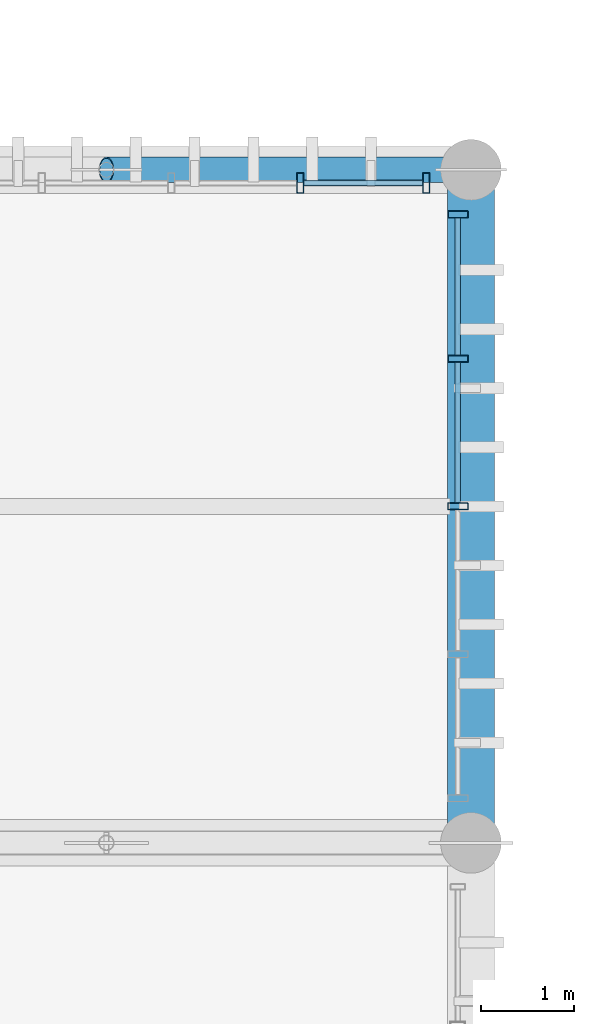
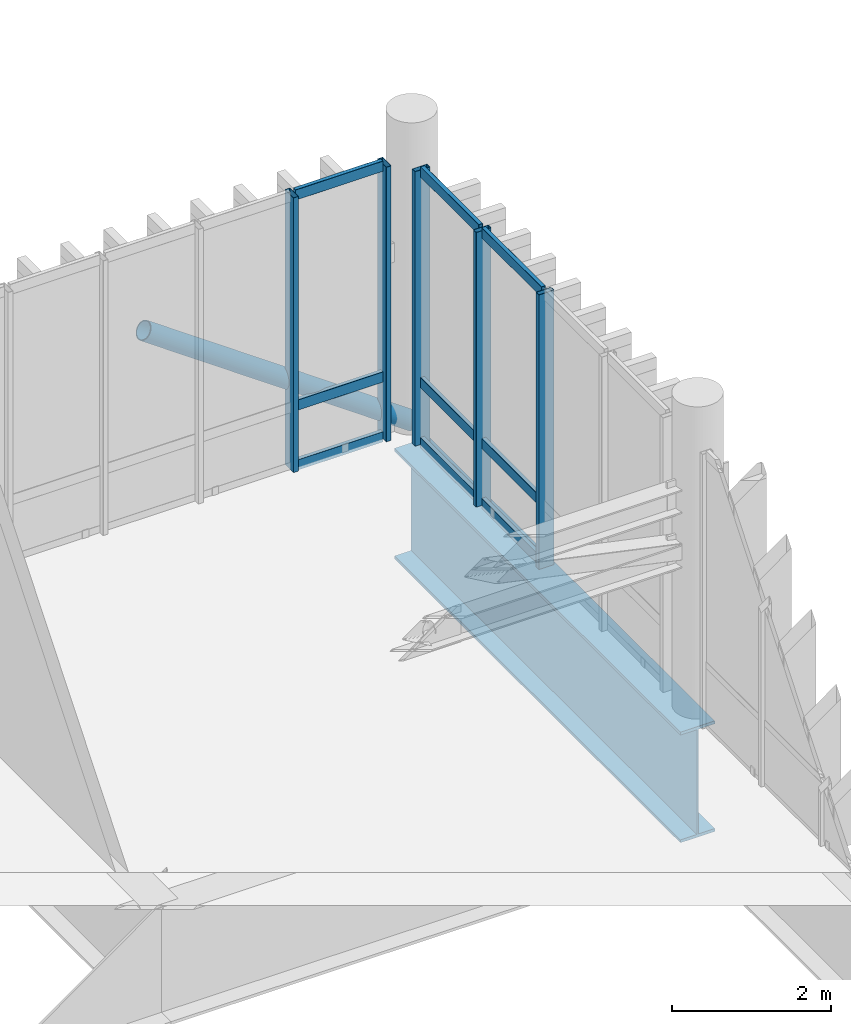
# One storey, part 44 of 86: 15 members, 1 beam, 2 elements without a shape of their own.
"""IFC4 building model written with IfcOpenShell, lengths in metres."""

from ifc_helpers import new_model, si_unit, direction, frame, origin_with_axes, origin_2d_with_axis, place, context, subcontext, project, spatial, hollow_rectangle, hollow_circle, i_section, extrude, material, material_profile, profile_set, type_object, element, aggregate, save


model = new_model("IFC4")

# Units and contexts
model_context = context("Model", 3, precision=1e-05, world=origin_with_axes(), true_north=direction((0.0, 1.0)))
body_context = subcontext(model_context, "Body", "Model", "MODEL_VIEW")
ifc_project = project(units=[si_unit("LENGTHUNIT", "METRE"), si_unit("AREAUNIT", "SQUARE_METRE"), si_unit("VOLUMEUNIT", "CUBIC_METRE"), si_unit("PLANEANGLEUNIT", "RADIAN"), si_unit("MASSUNIT", "GRAM", prefix="KILO"), si_unit("THERMODYNAMICTEMPERATUREUNIT", "KELVIN")], contexts=[model_context])

# Site, building, storey
site_placement = place(None, origin_with_axes())
site = spatial("IfcSite", under=ifc_project, at=site_placement, CompositionType="ELEMENT")
building_placement = place(site_placement, origin_with_axes())
building = spatial("IfcBuilding", under=site, at=building_placement, Name="Montbau Bow Law Courts", CompositionType="ELEMENT")
storey_placement = place(building_placement, frame((0.0, 0.0, 29.7), z_axis=(0.0, 0.0, 1.0), x_axis=(1.0, 0.0, 0.0)))
storey = spatial("IfcBuildingStorey", under=building, at=storey_placement, Name="L06", CompositionType="ELEMENT", Elevation=29.7)

# Beam
ifc_material_1 = material(Name="Steel CSA G40.21 Grade 350WT (350 MPa)", Category="steel")
ifc_material_profile_1 = material_profile(ifc_material_1, i_section(OverallWidth=0.5, OverallDepth=1.7, WebThickness=0.02, FlangeThickness=0.045, at=origin_2d_with_axis()), Name="WWF1700X480", Category="Main", Priority=0)
ifc_profile_set_1 = profile_set([ifc_material_profile_1], Name="Steel CSA G40.21 Grade 350WT (350 MPa)")
beam_type = type_object("IfcBeamType", Name="B-TRG-02", PredefinedType="USERDEFINED", material=ifc_profile_set_1)
beam_placement = place(None, frame((105.0, 54.6, 28.51), z_axis=(0.0, 1.0, 0.0), x_axis=(-1.0, 0.0, 0.0)))
element("IfcBeam", 1, at=beam_placement, inside=storey, type_object=beam_type, Name="TRG-L06-S0069:bm2_0072", ObjectType="GIRDER", PredefinedType="USERDEFINED", context=body_context, shape_type="SweptSolid", body=[
    extrude(i_section(OverallWidth=0.5, OverallDepth=1.7, WebThickness=0.02, FlangeThickness=0.045, at=origin_2d_with_axis()), origin_with_axes(), (0.0, 0.0, 1.0), 7.2),
])

# Member
ifc_material_2 = material(Name="Steel CSA G40.21 Grade 350W (350 MPa)", Category="steel")
ifc_material_profile_2 = material_profile(ifc_material_2, hollow_circle(Radius=0.1365, WallThickness=0.0127, at=origin_2d_with_axis()), Name="HSS273X13", Category="Main", Priority=0)
ifc_profile_set_2 = profile_set([ifc_material_profile_2], Name="Steel CSA G40.21 Grade 350W (350 MPa)")
member_type_1 = type_object("IfcMemberType", Name="M-BRC-03", PredefinedType="BRACE", material=ifc_profile_set_2)
member_1_placement = place(None, frame((101.1, 61.8, 32.45), z_axis=(0.817258134, 0.0, -0.576271761), x_axis=(0.0, 1.0, 0.0)))
element("IfcMember", 2, at=member_1_placement, inside=storey, type_object=member_type_1, Name="Diagonal brace BRC-L06-018", PredefinedType="BRACE", context=body_context, shape_type="SweptSolid", body=[
    extrude(hollow_circle(Radius=0.1365, WallThickness=0.0127, at=origin_2d_with_axis()), origin_with_axes(), (0.0, 0.0, 1.0), 4.772054),
])

# Curtain wall, members
ifc_material_3 = material(Name="Thermally Broken Extruded Aluminium AA 6063-T6", Category="aluminium")
curtain_wall_type = type_object("IfcCurtainWallType", Name="CW-CRM-02", PredefinedType="NOTDEFINED", material=ifc_material_3)
curtain_wall_1_placement = place(None, frame((97.64, 61.66, 29.7), z_axis=(0.0, 0.0, 1.0), x_axis=(1.0, 0.0, 0.0)))
curtain_wall_1 = element("IfcCurtainWall", 3, at=curtain_wall_1_placement, inside=storey, type_object=curtain_wall_type, Name="CW-L06-234:cw_0234", PredefinedType="NOTDEFINED")
ifc_material_profile_3 = material_profile(ifc_material_3, hollow_rectangle(XDim=0.075, YDim=0.22, WallThickness=0.005, InnerFilletRadius=0.01, OuterFilletRadius=0.005, at=origin_2d_with_axis()), Name="CWM-220X75", Category="Main", Priority=0)
ifc_profile_set_3 = profile_set([ifc_material_profile_3], Name="Thermally Broken Extruded Aluminium AA 6063-T6")
member_type_2 = type_object("IfcMemberType", Name="M-MUL-01", PredefinedType="MULLION", material=ifc_profile_set_3)
member_2_placement = place(None, frame((103.176, 61.66, 29.7), z_axis=(0.0, 0.0, 1.0), x_axis=(1.0, 0.0, 0.0)))
member_2 = element("IfcMember", 4, at=member_2_placement, type_object=member_type_2, Name="CW-L06-234-M05:cw_0234_M05", PredefinedType="MULLION", context=body_context, shape_type="SweptSolid", body=[
    extrude(hollow_rectangle(XDim=0.075, YDim=0.22, WallThickness=0.005, InnerFilletRadius=0.01, OuterFilletRadius=0.005, at=origin_2d_with_axis()), origin_with_axes(), (0.0, 0.0, 1.0), 4.22),
])
member_3_placement = place(None, frame((104.523, 61.66, 29.7), z_axis=(0.0, 0.0, 1.0), x_axis=(1.0, 0.0, 0.0)))
member_3 = element("IfcMember", 5, at=member_3_placement, type_object=member_type_2, Name="CW-L06-234-M06:cw_0234_M06", PredefinedType="MULLION", context=body_context, shape_type="SweptSolid", body=[
    extrude(hollow_rectangle(XDim=0.075, YDim=0.22, WallThickness=0.005, InnerFilletRadius=0.01, OuterFilletRadius=0.005, at=origin_2d_with_axis()), origin_with_axes(), (0.0, 0.0, 1.0), 4.22),
])

curtain_wall_2_placement = place(None, frame((104.86, 55.04, 29.7), z_axis=(0.0, 0.0, 1.0), x_axis=(1.0, 0.0, 0.0)))
curtain_wall_2 = element("IfcCurtainWall", 6, at=curtain_wall_2_placement, inside=storey, type_object=curtain_wall_type, Name="CW-L06-240:cw_0240", PredefinedType="NOTDEFINED")
member_4_placement = place(None, frame((104.86, 58.2, 29.7), z_axis=(0.0, 0.0, 1.0), x_axis=(0.0, 1.0, 0.0)))
member_4 = element("IfcMember", 7, at=member_4_placement, type_object=member_type_2, Name="CW-L06-240-M03:cw_0240_M03", PredefinedType="MULLION", context=body_context, shape_type="SweptSolid", body=[
    extrude(hollow_rectangle(XDim=0.075, YDim=0.22, WallThickness=0.005, InnerFilletRadius=0.01, OuterFilletRadius=0.005, at=origin_2d_with_axis()), origin_with_axes(), (0.0, 0.0, 1.0), 4.22),
])
member_5_placement = place(None, frame((104.86, 59.78, 29.7), z_axis=(0.0, 0.0, 1.0), x_axis=(0.0, 1.0, 0.0)))
member_5 = element("IfcMember", 8, at=member_5_placement, type_object=member_type_2, Name="CW-L06-240-M04:cw_0240_M04", PredefinedType="MULLION", context=body_context, shape_type="SweptSolid", body=[
    extrude(hollow_rectangle(XDim=0.075, YDim=0.22, WallThickness=0.005, InnerFilletRadius=0.01, OuterFilletRadius=0.005, at=origin_2d_with_axis()), origin_with_axes(), (0.0, 0.0, 1.0), 4.22),
])
member_6_placement = place(None, frame((104.86, 61.323, 29.7), z_axis=(0.0, 0.0, 1.0), x_axis=(0.0, 1.0, 0.0)))
member_6 = element("IfcMember", 9, at=member_6_placement, type_object=member_type_2, Name="CW-L06-240-M05:cw_0240_M05", PredefinedType="MULLION", context=body_context, shape_type="SweptSolid", body=[
    extrude(hollow_rectangle(XDim=0.075, YDim=0.22, WallThickness=0.005, InnerFilletRadius=0.01, OuterFilletRadius=0.005, at=origin_2d_with_axis()), origin_with_axes(), (0.0, 0.0, 1.0), 4.22),
])

# Member
ifc_material_profile_4 = material_profile(ifc_material_3, hollow_rectangle(XDim=0.06, YDim=0.16, WallThickness=0.004, InnerFilletRadius=0.008, OuterFilletRadius=0.004, at=origin_2d_with_axis()), Name="CWT-160X60", Category="Main", Priority=0)
ifc_profile_set_4 = profile_set([ifc_material_profile_4], Name="Thermally Broken Extruded Aluminium AA 6063-T6")
member_type_3 = type_object("IfcMemberType", Name="M-TRN-01", PredefinedType="USERDEFINED", material=ifc_profile_set_4)
member_7_placement = place(None, frame((103.215, 61.66, 29.73), z_axis=(1.0, 0.0, 0.0), x_axis=(0.0, 1.0, 0.0)))
member_7 = element("IfcMember", 10, at=member_7_placement, type_object=member_type_3, Name="CW-L06-234-T05-1:cw_0234_T05_1", ObjectType="TRANSOM", PredefinedType="USERDEFINED", context=body_context, shape_type="SweptSolid", body=[
    extrude(hollow_rectangle(XDim=0.06, YDim=0.16, WallThickness=0.004, InnerFilletRadius=0.008, OuterFilletRadius=0.004, at=origin_2d_with_axis()), origin_with_axes(), (0.0, 0.0, 1.0), 1.269),
])

member_8_placement = place(None, frame((103.215, 61.66, 30.65), z_axis=(1.0, 0.0, 0.0), x_axis=(0.0, 1.0, 0.0)))
member_8 = element("IfcMember", 11, at=member_8_placement, type_object=member_type_3, Name="CW-L06-234-T05-2:cw_0234_T05_2", ObjectType="TRANSOM", PredefinedType="USERDEFINED", context=body_context, shape_type="SweptSolid", body=[
    extrude(hollow_rectangle(XDim=0.06, YDim=0.16, WallThickness=0.004, InnerFilletRadius=0.008, OuterFilletRadius=0.004, at=origin_2d_with_axis()), origin_with_axes(), (0.0, 0.0, 1.0), 1.269),
])

member_9_placement = place(None, frame((103.215, 61.66, 33.89), z_axis=(1.0, 0.0, 0.0), x_axis=(0.0, 1.0, 0.0)))
member_9 = element("IfcMember", 12, at=member_9_placement, type_object=member_type_3, Name="CW-L06-234-T05-3:cw_0234_T05_3", ObjectType="TRANSOM", PredefinedType="USERDEFINED", context=body_context, shape_type="SweptSolid", body=[
    extrude(hollow_rectangle(XDim=0.06, YDim=0.16, WallThickness=0.004, InnerFilletRadius=0.008, OuterFilletRadius=0.004, at=origin_2d_with_axis()), origin_with_axes(), (0.0, 0.0, 1.0), 1.269),
])

aggregate(curtain_wall_1, [member_2, member_3, member_7, member_8, member_9])

member_10_placement = place(None, frame((104.86, 58.24, 29.73), z_axis=(0.0, 1.0, 0.0), x_axis=(-1.0, 0.0, 0.0)))
member_10 = element("IfcMember", 13, at=member_10_placement, type_object=member_type_3, Name="CW-L06-240-T03-1:cw_0240_T03_1", ObjectType="TRANSOM", PredefinedType="USERDEFINED", context=body_context, shape_type="SweptSolid", body=[
    extrude(hollow_rectangle(XDim=0.06, YDim=0.16, WallThickness=0.004, InnerFilletRadius=0.008, OuterFilletRadius=0.004, at=origin_2d_with_axis()), origin_with_axes(), (0.0, 0.0, 1.0), 1.501),
])

member_11_placement = place(None, frame((104.86, 58.24, 30.65), z_axis=(0.0, 1.0, 0.0), x_axis=(-1.0, 0.0, 0.0)))
member_11 = element("IfcMember", 14, at=member_11_placement, type_object=member_type_3, Name="CW-L06-240-T03-2:cw_0240_T03_2", ObjectType="TRANSOM", PredefinedType="USERDEFINED", context=body_context, shape_type="SweptSolid", body=[
    extrude(hollow_rectangle(XDim=0.06, YDim=0.16, WallThickness=0.004, InnerFilletRadius=0.008, OuterFilletRadius=0.004, at=origin_2d_with_axis()), origin_with_axes(), (0.0, 0.0, 1.0), 1.501),
])

member_12_placement = place(None, frame((104.86, 58.24, 33.89), z_axis=(0.0, 1.0, 0.0), x_axis=(-1.0, 0.0, 0.0)))
member_12 = element("IfcMember", 15, at=member_12_placement, type_object=member_type_3, Name="CW-L06-240-T03-3:cw_0240_T03_3", ObjectType="TRANSOM", PredefinedType="USERDEFINED", context=body_context, shape_type="SweptSolid", body=[
    extrude(hollow_rectangle(XDim=0.06, YDim=0.16, WallThickness=0.004, InnerFilletRadius=0.008, OuterFilletRadius=0.004, at=origin_2d_with_axis()), origin_with_axes(), (0.0, 0.0, 1.0), 1.501),
])

member_13_placement = place(None, frame((104.86, 59.819, 29.73), z_axis=(0.0, 1.0, 0.0), x_axis=(-1.0, 0.0, 0.0)))
member_13 = element("IfcMember", 16, at=member_13_placement, type_object=member_type_3, Name="CW-L06-240-T04-1:cw_0240_T04_1", ObjectType="TRANSOM", PredefinedType="USERDEFINED", context=body_context, shape_type="SweptSolid", body=[
    extrude(hollow_rectangle(XDim=0.06, YDim=0.16, WallThickness=0.004, InnerFilletRadius=0.008, OuterFilletRadius=0.004, at=origin_2d_with_axis()), origin_with_axes(), (0.0, 0.0, 1.0), 1.465),
])

member_14_placement = place(None, frame((104.86, 59.819, 30.65), z_axis=(0.0, 1.0, 0.0), x_axis=(-1.0, 0.0, 0.0)))
member_14 = element("IfcMember", 17, at=member_14_placement, type_object=member_type_3, Name="CW-L06-240-T04-2:cw_0240_T04_2", ObjectType="TRANSOM", PredefinedType="USERDEFINED", context=body_context, shape_type="SweptSolid", body=[
    extrude(hollow_rectangle(XDim=0.06, YDim=0.16, WallThickness=0.004, InnerFilletRadius=0.008, OuterFilletRadius=0.004, at=origin_2d_with_axis()), origin_with_axes(), (0.0, 0.0, 1.0), 1.465),
])

member_15_placement = place(None, frame((104.86, 59.819, 33.89), z_axis=(0.0, 1.0, 0.0), x_axis=(-1.0, 0.0, 0.0)))
member_15 = element("IfcMember", 18, at=member_15_placement, type_object=member_type_3, Name="CW-L06-240-T04-3:cw_0240_T04_3", ObjectType="TRANSOM", PredefinedType="USERDEFINED", context=body_context, shape_type="SweptSolid", body=[
    extrude(hollow_rectangle(XDim=0.06, YDim=0.16, WallThickness=0.004, InnerFilletRadius=0.008, OuterFilletRadius=0.004, at=origin_2d_with_axis()), origin_with_axes(), (0.0, 0.0, 1.0), 1.465),
])

aggregate(curtain_wall_2, [member_4, member_5, member_6, member_10, member_11, member_12, member_13, member_14, member_15])

save(model, "model.ifc")
